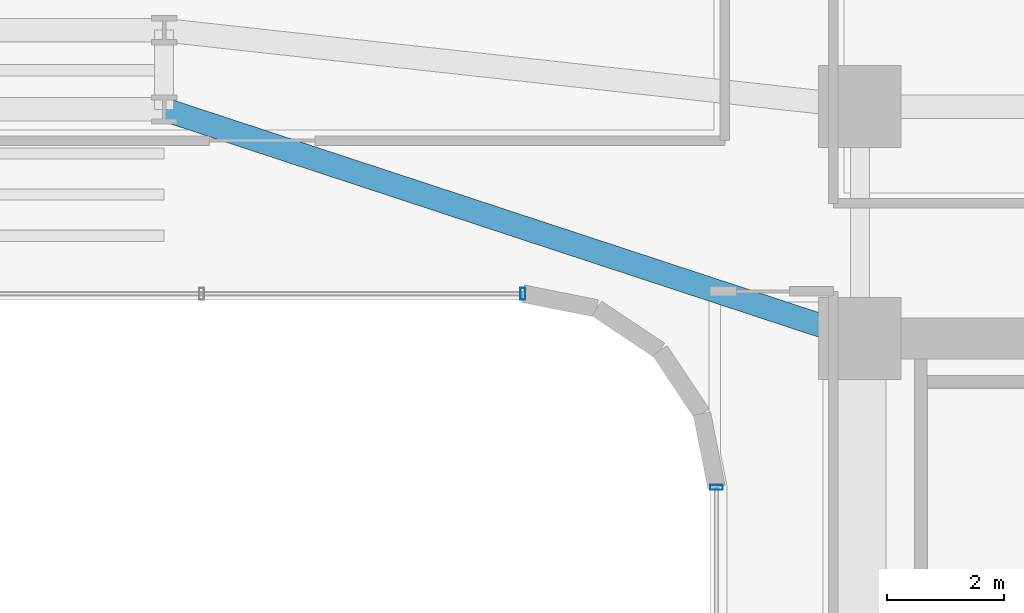
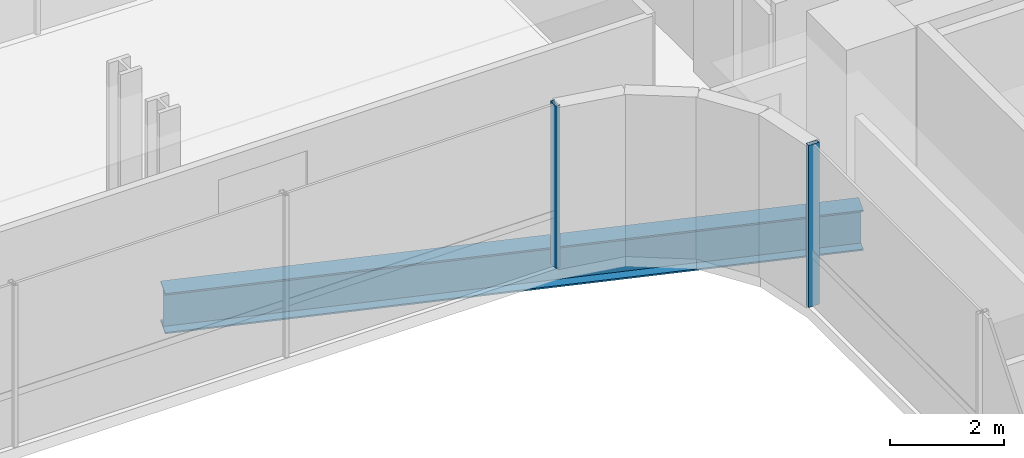
# One storey, part 16 of 40: 2 members, 1 beam, 2 elements without a shape of their own.
"""IFC4 building model written with IfcOpenShell, lengths in metres."""

from ifc_helpers import new_model, si_unit, direction, frame, origin, origin_2d, place, context, subcontext, project, spatial, hollow_rectangle, i_section, extrude, source, transform, mapped, material, material_profile, profile_set, type_object, element, aggregate, save


model = new_model("IFC4")

# Units and contexts
model_context = context("Model", 3, precision=1e-05, world=origin(), true_north=direction((0.0, 1.0)))
body_context = subcontext(model_context, "Body", "Model", "MODEL_VIEW")
ifc_project = project(units=[si_unit("LENGTHUNIT", "METRE"), si_unit("AREAUNIT", "SQUARE_METRE"), si_unit("VOLUMEUNIT", "CUBIC_METRE"), si_unit("PLANEANGLEUNIT", "RADIAN"), si_unit("MASSUNIT", "GRAM", prefix="KILO")], contexts=[model_context])

# Site, building, storey
site_placement = place(None, origin())
site = spatial("IfcSite", under=ifc_project, at=site_placement, CompositionType="ELEMENT")
building_placement = place(site_placement, origin())
building = spatial("IfcBuilding", under=site, at=building_placement, Name="Valdorenza Pilgrim Sanctuary Tower", CompositionType="ELEMENT")
storey_placement = place(building_placement, frame((0.0, 0.0, 66.699951171875)))
storey = spatial("IfcBuildingStorey", under=building, at=storey_placement, Name="L16", CompositionType="ELEMENT", Elevation=66.699951171875)

# Beam
ifc_material_1 = material(Name="Steel ASTM A992 Grade 50", Category="steel")
ifc_material_profile_1 = material_profile(ifc_material_1, i_section(OverallWidth=0.39990234375, OverallDepth=0.862060546875, WebThickness=0.019775390625, FlangeThickness=0.032470703125, at=origin_2d()), Name="W33X221")
ifc_profile_set_1 = profile_set([ifc_material_profile_1], Name="Steel ASTM A992 Grade 50")
beam_type = type_object("IfcBeamType", Name="STR-BM-GRD-W33", PredefinedType="BEAM", material=ifc_profile_set_1)
shared_shape_1 = source(origin(), body_context, "Body", "SweptSolid", [
    extrude(i_section(OverallWidth=0.39990234375, OverallDepth=0.862060546875, WebThickness=0.019775390625, FlangeThickness=0.032470703125, at=origin_2d()), origin(), (0.0, 0.0, 1.0), 12.475341796875),
])
beam_placement = place(storey_placement, frame((4.0, 13.449951171875, -0.6708984375), z_axis=(0.949881908141, -0.312608957943, 0.0), x_axis=(0.312608957943, 0.949881908141, 0.0)))
element("IfcBeam", 1, at=beam_placement, inside=storey, type_object=beam_type, Name="L16 Floor Girder KNK-G3", PredefinedType="BEAM", context=body_context, shape_type="MappedRepresentation", body=[
    mapped(shared_shape_1, transform((0.0, 0.0, 0.0), x_axis=(1.0, 0.0, 0.0), y_axis=(0.0, 1.0, 0.0), z_axis=(0.0, 0.0, 1.0), scale=1.0)),
])

# Curtain wall, member
ifc_material_2 = material(Name="Curtain-wall IGU glazing", Category="glass")
curtain_wall_type_1 = type_object("IfcCurtainWallType", Name="CW-SYS-02", PredefinedType="NOTDEFINED", material=ifc_material_2)
curtain_wall_1_placement = place(storey_placement, origin())
curtain_wall_1 = element("IfcCurtainWall", 2, at=curtain_wall_1_placement, inside=storey, type_object=curtain_wall_type_1, Name="L16 Curtain Wall CW-L16-1-36", PredefinedType="NOTDEFINED")
ifc_material_3 = material(Name="Anodised aluminium AW-6060", Category="aluminium")
ifc_material_profile_2 = material_profile(ifc_material_3, hollow_rectangle(XDim=0.0849609375, YDim=0.199951171875, WallThickness=0.0048828125, at=origin_2d()), Name="ALU-M 200x85x5")
ifc_profile_set_2 = profile_set([ifc_material_profile_2], Name="Anodised aluminium AW-6060")
member_type_1 = type_object("IfcMemberType", Name="CW-MUL-02", PredefinedType="MULLION", material=ifc_profile_set_2)
shared_shape_2 = source(origin(), body_context, "Body", "SweptSolid", [
    extrude(hollow_rectangle(XDim=0.0849609375, YDim=0.199951171875, WallThickness=0.0048828125, at=origin_2d()), origin(), (0.0, 0.0, 1.0), 3.4599609375),
])
member_1_placement = place(storey_placement, frame((10.11083984375, 10.31005859375, 0.0), z_axis=(0.0, 0.0, 1.0), x_axis=(-1.0, 0.0, 0.0)))
member_1 = element("IfcMember", 3, at=member_1_placement, type_object=member_type_1, Name="CW-L16-1-36 Mullion 1", PredefinedType="MULLION", context=body_context, shape_type="MappedRepresentation", body=[
    mapped(shared_shape_2, transform((0.0, 0.0, 0.0), x_axis=(1.0, 0.0, 0.0), y_axis=(0.0, 1.0, 0.0), z_axis=(0.0, 0.0, 1.0), scale=1.0)),
])
aggregate(curtain_wall_1, [member_1])

curtain_wall_type_2 = type_object("IfcCurtainWallType", Name="CW-SYS-03", PredefinedType="NOTDEFINED", material=ifc_material_2)
curtain_wall_2_placement = place(storey_placement, origin())
curtain_wall_2 = element("IfcCurtainWall", 4, at=curtain_wall_2_placement, inside=storey, type_object=curtain_wall_type_2, Name="L16 Curtain Wall CW-L16-1-31", PredefinedType="NOTDEFINED")
ifc_material_profile_3 = material_profile(ifc_material_3, hollow_rectangle(XDim=0.0849609375, YDim=0.219970703125, WallThickness=0.0048828125, at=origin_2d()), Name="ALU-M 220x85x5")
ifc_profile_set_3 = profile_set([ifc_material_profile_3], Name="Anodised aluminium AW-6060")
member_type_2 = type_object("IfcMemberType", Name="CW-MUL-03", PredefinedType="MULLION", material=ifc_profile_set_3)
shared_shape_3 = source(origin(), body_context, "Body", "SweptSolid", [
    extrude(hollow_rectangle(XDim=0.0849609375, YDim=0.219970703125, WallThickness=0.0048828125, at=origin_2d()), origin(), (0.0, 0.0, 1.0), 3.4599609375),
])
member_2_placement = place(storey_placement, frame((13.409912109375, 7.0107421875, 0.0), z_axis=(0.0, 0.0, 1.0), x_axis=(0.0, 1.0, 0.0)))
member_2 = element("IfcMember", 5, at=member_2_placement, type_object=member_type_2, Name="CW-L16-1-31 Mullion 4", PredefinedType="MULLION", context=body_context, shape_type="MappedRepresentation", body=[
    mapped(shared_shape_3, transform((0.0, 0.0, 0.0), x_axis=(1.0, 0.0, 0.0), y_axis=(0.0, 1.0, 0.0), z_axis=(0.0, 0.0, 1.0), scale=1.0)),
])
aggregate(curtain_wall_2, [member_2])

save(model, "model.ifc")
